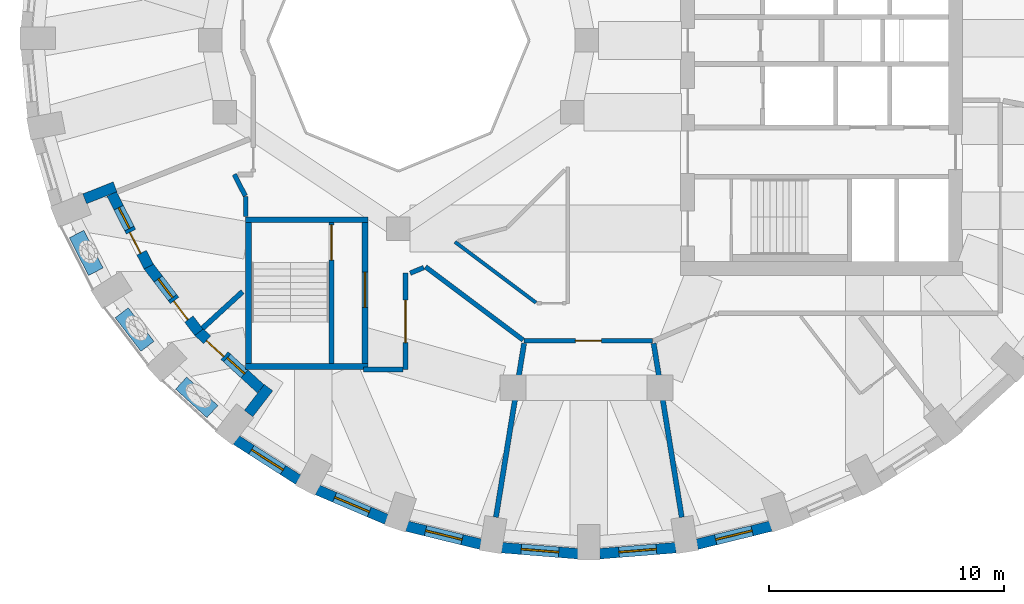
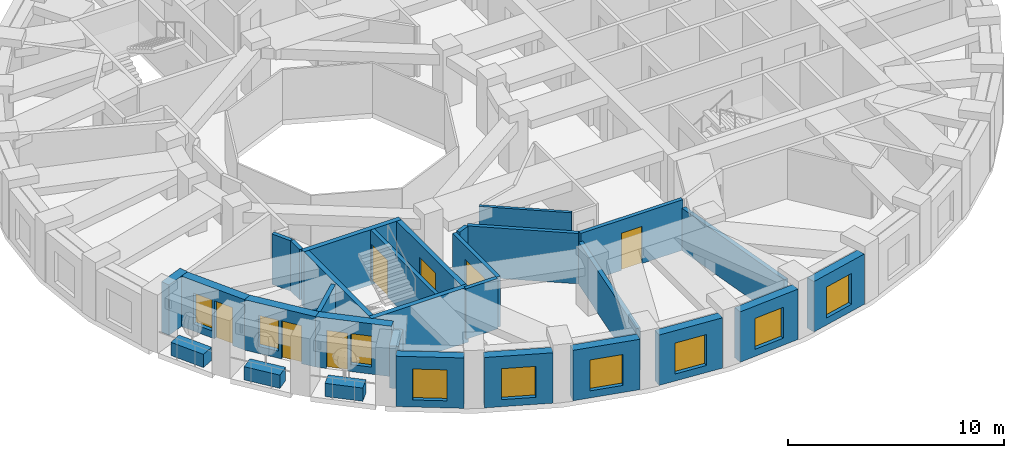
# One storey, part 3 of 11: 30 walls, 9 windows, 7 doors, 16 openings.
"""IFC4 building model written with IfcOpenShell, lengths in metres."""

from ifc_helpers import new_model, si_unit, direction, frame, frame_2d, origin, place, context, subcontext, project, spatial, rectangle, extrude, material, layer, layer_set, constituent, constituent_set, type_object, element, fill, save


model = new_model("IFC4")

# Units and contexts
model_context = context("Model", 3, precision=1e-05, world=origin(), true_north=direction((0.0, 1.0)))
body_context = subcontext(model_context, "Body", "Model", "MODEL_VIEW")
ifc_project = project(units=[si_unit("LENGTHUNIT", "METRE"), si_unit("AREAUNIT", "SQUARE_METRE"), si_unit("VOLUMEUNIT", "CUBIC_METRE"), si_unit("PLANEANGLEUNIT", "RADIAN"), si_unit("MASSUNIT", "GRAM", prefix="KILO")], contexts=[model_context])

# Site, building, storey
site_placement = place(None, origin())
site = spatial("IfcSite", under=ifc_project, at=site_placement, CompositionType="ELEMENT")
building_placement = place(site_placement, origin())
building = spatial("IfcBuilding", under=site, at=building_placement, Name="Taillehof Tower", CompositionType="ELEMENT")
storey_placement = place(building_placement, frame((0.0, 0.0, 181.39990234375)))
storey = spatial("IfcBuildingStorey", under=building, at=storey_placement, Name="L51", CompositionType="ELEMENT", Elevation=181.39990234375)

# Wall, opening, window
ifc_material_1 = material(Name="Brick masonry", Category="masonry")
ifc_layer_1 = layer(ifc_material_1, 0.449951171875)
ifc_layer_set_1 = layer_set([ifc_layer_1], Name="Brick infill wall 450")
wall_type_1 = type_object("IfcWallType", Name="Brick infill wall 450", PredefinedType="SOLIDWALL", material=ifc_layer_set_1)
wall_1_placement = place(storey_placement, frame((-14.908447265625, -16.993408203125, 0.0), z_axis=(0.0, 0.0, 1.0), x_axis=(0.842065914439, -0.539374633943, 0.0)))
wall_1 = element("IfcWall", 1, at=wall_1_placement, inside=storey, type_object=wall_type_1, Name="Brick wall L51 bay 24", PredefinedType="SOLIDWALL", context=body_context, shape_type="SweptSolid", body=[
    extrude(rectangle(XDim=3.1513671875, YDim=0.449951171875, at=frame_2d((1.57568359375, 0.0))), origin(), (0.0, 0.0, 1.0), 2.85009765625),
])
opening_1_placement = place(wall_1_placement, frame((0.775634765625, 0.0, 0.39990234375)))
opening_1 = element("IfcOpeningElement", 2, at=opening_1_placement, cuts=wall_1, Name="Opening W3", PredefinedType="OPENING", context=body_context, shape_type="SweptSolid", body=[
    extrude(rectangle(XDim=1.60009765625, YDim=1.75, at=frame_2d((0.800048828125, 0.875))), frame((0.0, 0.23486328125, 0.0), z_axis=(0.0, -1.0, 0.0), x_axis=(1.0, 0.0, 0.0)), (0.0, 0.0, 1.0), 0.469970703125),
])
ifc_material_2 = material(Name="Aluminium window frame with clear double glazing", Category="aluminium")
window_type_1 = type_object("IfcWindowType", Name="Deep-set window 1600x1750", PartitioningType="SINGLE_PANEL", PredefinedType="WINDOW", material=ifc_material_2)
window_1_placement = place(opening_1_placement, origin())
window_1 = element("IfcWindow", 3, at=window_1_placement, inside=storey, type_object=window_type_1, Name="W3", OverallHeight=1.75, OverallWidth=1.60009765625, PartitioningType="SINGLE_PANEL", PredefinedType="WINDOW", context=body_context, shape_type="SweptSolid", body=[
    extrude(rectangle(XDim=1.60009765625, YDim=1.75, at=frame_2d((0.800048828125, 0.875))), frame((0.0, 0.034912109375, 0.0), z_axis=(0.0, -1.0, 0.0), x_axis=(1.0, 0.0, 0.0)), (0.0, 0.0, 1.0), 0.06005859375),
])
fill(opening_1, window_1)

wall_2_placement = place(storey_placement, frame((-11.4501953125, -19.11865234375, 0.0), z_axis=(0.0, 0.0, 1.0), x_axis=(0.919798725687, -0.392390499663, 0.0)))
wall_2 = element("IfcWall", 4, at=wall_2_placement, inside=storey, type_object=wall_type_1, Name="Brick wall L51 bay 25", PredefinedType="SOLIDWALL", context=body_context, shape_type="SweptSolid", body=[
    extrude(rectangle(XDim=3.200439453125, YDim=0.449951171875, at=frame_2d((1.60009765625, 0.0))), origin(), (0.0, 0.0, 1.0), 2.85009765625),
])
opening_2_placement = place(wall_2_placement, frame((0.80029296875, 0.0, 0.39990234375)))
opening_2 = element("IfcOpeningElement", 5, at=opening_2_placement, cuts=wall_2, Name="Opening W3", PredefinedType="OPENING", context=body_context, shape_type="SweptSolid", body=[
    extrude(rectangle(XDim=1.60009765625, YDim=1.75, at=frame_2d((0.800048828125, 0.875))), frame((0.0, 0.23486328125, 0.0), z_axis=(0.0, -1.0, 0.0), x_axis=(1.0, 0.0, 0.0)), (0.0, 0.0, 1.0), 0.469970703125),
])
window_2_placement = place(opening_2_placement, origin())
window_2 = element("IfcWindow", 6, at=window_2_placement, inside=storey, type_object=window_type_1, Name="W3", OverallHeight=1.75, OverallWidth=1.60009765625, PartitioningType="SINGLE_PANEL", PredefinedType="WINDOW", context=body_context, shape_type="SweptSolid", body=[
    extrude(rectangle(XDim=1.60009765625, YDim=1.75, at=frame_2d((0.800048828125, 0.875))), frame((0.0, 0.034912109375, 0.0), z_axis=(0.0, -1.0, 0.0), x_axis=(1.0, 0.0, 0.0)), (0.0, 0.0, 1.0), 0.06005859375),
])
fill(opening_2, window_2)

wall_3_placement = place(storey_placement, frame((-7.642822265625, -20.662353515625, 0.0), z_axis=(0.0, 0.0, 1.0), x_axis=(0.971232901476, -0.238131583563, 0.0)))
wall_3 = element("IfcWall", 7, at=wall_3_placement, inside=storey, type_object=wall_type_1, Name="Brick wall L51 bay 26", PredefinedType="SOLIDWALL", context=body_context, shape_type="SweptSolid", body=[
    extrude(rectangle(XDim=3.236572265625, YDim=0.449951171875, at=frame_2d((1.6181640625, 0.0))), origin(), (0.0, 0.0, 1.0), 2.85009765625),
])
opening_3_placement = place(wall_3_placement, frame((0.818359375, 0.0, 0.39990234375)))
opening_3 = element("IfcOpeningElement", 8, at=opening_3_placement, cuts=wall_3, Name="Opening W3", PredefinedType="OPENING", context=body_context, shape_type="SweptSolid", body=[
    extrude(rectangle(XDim=1.60009765625, YDim=1.75, at=frame_2d((0.800048828125, 0.875))), frame((0.0, 0.23486328125, 0.0), z_axis=(0.0, -1.0, 0.0), x_axis=(1.0, 0.0, 0.0)), (0.0, 0.0, 1.0), 0.469970703125),
])
window_3_placement = place(opening_3_placement, origin())
window_3 = element("IfcWindow", 9, at=window_3_placement, inside=storey, type_object=window_type_1, Name="W3", OverallHeight=1.75, OverallWidth=1.60009765625, PartitioningType="SINGLE_PANEL", PredefinedType="WINDOW", context=body_context, shape_type="SweptSolid", body=[
    extrude(rectangle(XDim=1.60009765625, YDim=1.75, at=frame_2d((0.800048828125, 0.875))), frame((0.0, 0.034912109375, 0.0), z_axis=(0.0, -1.0, 0.0), x_axis=(1.0, 0.0, 0.0)), (0.0, 0.0, 1.0), 0.06005859375),
])
fill(opening_3, window_3)

wall_4_placement = place(storey_placement, frame((-3.6005859375, -21.578125, 0.0), z_axis=(0.0, 0.0, 1.0), x_axis=(0.996812416891, -0.079780984773, 0.0)))
wall_4 = element("IfcWall", 10, at=wall_4_placement, inside=storey, type_object=wall_type_1, Name="Brick wall L51 bay 27", PredefinedType="SOLIDWALL", context=body_context, shape_type="SweptSolid", body=[
    extrude(rectangle(XDim=3.256103515625, YDim=0.449951171875, at=frame_2d((1.6279296875, 0.0))), origin(), (0.0, 0.0, 1.0), 2.85009765625),
])
opening_4_placement = place(wall_4_placement, frame((0.827880859375, 0.0, 0.39990234375)))
opening_4 = element("IfcOpeningElement", 11, at=opening_4_placement, cuts=wall_4, Name="Opening W3", PredefinedType="OPENING", context=body_context, shape_type="SweptSolid", body=[
    extrude(rectangle(XDim=1.60009765625, YDim=1.75, at=frame_2d((0.800048828125, 0.875))), frame((0.0, 0.23486328125, 0.0), z_axis=(0.0, -1.0, 0.0), x_axis=(1.0, 0.0, 0.0)), (0.0, 0.0, 1.0), 0.469970703125),
])
window_4_placement = place(opening_4_placement, origin())
window_4 = element("IfcWindow", 12, at=window_4_placement, inside=storey, type_object=window_type_1, Name="W3", OverallHeight=1.75, OverallWidth=1.60009765625, PartitioningType="SINGLE_PANEL", PredefinedType="WINDOW", context=body_context, shape_type="SweptSolid", body=[
    extrude(rectangle(XDim=1.60009765625, YDim=1.75, at=frame_2d((0.800048828125, 0.875))), frame((0.0, 0.034912109375, 0.0), z_axis=(0.0, -1.0, 0.0), x_axis=(1.0, 0.0, 0.0)), (0.0, 0.0, 1.0), 0.06005859375),
])
fill(opening_4, window_4)

wall_5_placement = place(storey_placement, frame((0.55517578125, -21.837890625, 0.0), z_axis=(0.0, 0.0, 1.0), x_axis=(0.996812416891, 0.079780984773, 0.0)))
wall_5 = element("IfcWall", 13, at=wall_5_placement, inside=storey, type_object=wall_type_1, Name="Brick wall L51 bay 28", PredefinedType="SOLIDWALL", context=body_context, shape_type="SweptSolid", body=[
    extrude(rectangle(XDim=3.256103515625, YDim=0.449951171875, at=frame_2d((1.6279296875, 0.0))), origin(), (0.0, 0.0, 1.0), 2.85009765625),
])
opening_5_placement = place(wall_5_placement, frame((0.827880859375, 0.0, 0.39990234375)))
opening_5 = element("IfcOpeningElement", 14, at=opening_5_placement, cuts=wall_5, Name="Opening W3", PredefinedType="OPENING", context=body_context, shape_type="SweptSolid", body=[
    extrude(rectangle(XDim=1.60009765625, YDim=1.75, at=frame_2d((0.800048828125, 0.875))), frame((0.0, 0.23486328125, 0.0), z_axis=(0.0, -1.0, 0.0), x_axis=(1.0, 0.0, 0.0)), (0.0, 0.0, 1.0), 0.469970703125),
])
window_5_placement = place(opening_5_placement, origin())
window_5 = element("IfcWindow", 15, at=window_5_placement, inside=storey, type_object=window_type_1, Name="W3", OverallHeight=1.75, OverallWidth=1.60009765625, PartitioningType="SINGLE_PANEL", PredefinedType="WINDOW", context=body_context, shape_type="SweptSolid", body=[
    extrude(rectangle(XDim=1.60009765625, YDim=1.75, at=frame_2d((0.800048828125, 0.875))), frame((0.0, 0.034912109375, 0.0), z_axis=(0.0, -1.0, 0.0), x_axis=(1.0, 0.0, 0.0)), (0.0, 0.0, 1.0), 0.06005859375),
])
fill(opening_5, window_5)

wall_6_placement = place(storey_placement, frame((4.69921875, -21.43310546875, 0.0), z_axis=(0.0, 0.0, 1.0), x_axis=(0.971237178372, 0.238114139328, 0.0)))
wall_6 = element("IfcWall", 16, at=wall_6_placement, inside=storey, type_object=wall_type_1, Name="Brick wall L51 bay 29", PredefinedType="SOLIDWALL", context=body_context, shape_type="SweptSolid", body=[
    extrude(rectangle(XDim=3.23681640625, YDim=0.449951171875, at=frame_2d((1.618408203125, 0.0))), origin(), (0.0, 0.0, 1.0), 2.85009765625),
])
opening_6_placement = place(wall_6_placement, frame((0.818359375, 0.0, 0.39990234375)))
opening_6 = element("IfcOpeningElement", 17, at=opening_6_placement, cuts=wall_6, Name="Opening W3", PredefinedType="OPENING", context=body_context, shape_type="SweptSolid", body=[
    extrude(rectangle(XDim=1.60009765625, YDim=1.75, at=frame_2d((0.800048828125, 0.875))), frame((0.0, 0.23486328125, 0.0), z_axis=(0.0, -1.0, 0.0), x_axis=(1.0, 0.0, 0.0)), (0.0, 0.0, 1.0), 0.469970703125),
])
window_6_placement = place(opening_6_placement, origin())
window_6 = element("IfcWindow", 18, at=window_6_placement, inside=storey, type_object=window_type_1, Name="W3", OverallHeight=1.75, OverallWidth=1.60009765625, PartitioningType="SINGLE_PANEL", PredefinedType="WINDOW", context=body_context, shape_type="SweptSolid", body=[
    extrude(rectangle(XDim=1.60009765625, YDim=1.75, at=frame_2d((0.800048828125, 0.875))), frame((0.0, 0.034912109375, 0.0), z_axis=(0.0, -1.0, 0.0), x_axis=(1.0, 0.0, 0.0)), (0.0, 0.0, 1.0), 0.06005859375),
])
fill(opening_6, window_6)

# Walls
wall_7_placement = place(storey_placement, frame((-21.34814453125, -6.738037109375, 0.0), z_axis=(0.0, 0.0, 1.0), x_axis=(0.929514600716, 0.368785312961, 0.0)))
element("IfcWall", 19, at=wall_7_placement, inside=storey, type_object=wall_type_1, Name="Brick reveal L51 pocket 6", PredefinedType="SOLIDWALL", context=body_context, shape_type="SweptSolid", body=[
    extrude(rectangle(XDim=1.39013671875, YDim=0.449951171875, at=frame_2d((0.695068359375, 0.0))), origin(), (0.0, 0.0, 1.0), 2.85009765625),
])
wall_8_placement = place(storey_placement, frame((-14.374755859375, -15.87109375, 0.0), z_axis=(0.0, 0.0, 1.0), x_axis=(0.609982261713, 0.792415068253, 0.0)))
element("IfcWall", 20, at=wall_8_placement, inside=storey, type_object=wall_type_1, Name="Brick reveal L51 pocket 6", PredefinedType="SOLIDWALL", context=body_context, shape_type="SweptSolid", body=[
    extrude(rectangle(XDim=1.390380859375, YDim=0.449951171875, at=frame_2d((0.6953125, 0.0))), origin(), (0.0, 0.0, 1.0), 2.400146484375),
])

# Wall, openings, door, window
wall_9_placement = place(storey_placement, frame((-20.19970703125, -6.5244140625, 0.0), z_axis=(0.0, 0.0, 1.0), x_axis=(0.453222057065, -0.891397648073, 0.0)))
wall_9 = element("IfcWall", 21, at=wall_9_placement, inside=storey, type_object=wall_type_1, Name="Brick wall L51 pocket bay 21", PredefinedType="SOLIDWALL", context=body_context, shape_type="SweptSolid", body=[
    extrude(rectangle(XDim=3.472412109375, YDim=0.449951171875, at=frame_2d((1.736328125, 0.0))), origin(), (0.0, 0.0, 1.0), 2.85009765625),
])
opening_7_placement = place(wall_9_placement, frame((0.6611328125, 0.0, 0.39990234375)))
opening_7 = element("IfcOpeningElement", 22, at=opening_7_placement, cuts=wall_9, Name="Opening W5", PredefinedType="OPENING", context=body_context, shape_type="SweptSolid", body=[
    extrude(rectangle(XDim=1.0, YDim=1.75, at=frame_2d((0.5, 0.875))), frame((0.0, 0.23486328125, 0.0), z_axis=(0.0, -1.0, 0.0), x_axis=(1.0, 0.0, 0.0)), (0.0, 0.0, 1.0), 0.469970703125),
])
opening_8_placement = place(wall_9_placement, frame((1.811279296875, 0.0, 0.0)))
opening_8 = element("IfcOpeningElement", 23, at=opening_8_placement, cuts=wall_9, Name="Opening D5191", PredefinedType="OPENING", context=body_context, shape_type="SweptSolid", body=[
    extrude(rectangle(XDim=1.0, YDim=2.14990234375, at=frame_2d((0.5, 1.074951171875))), frame((0.0, 0.23486328125, 0.0), z_axis=(0.0, -1.0, 0.0), x_axis=(1.0, 0.0, 0.0)), (0.0, 0.0, 1.0), 0.469970703125),
])
ifc_material_3 = material(Name="Aluminium door frame with clear double glazing", Category="aluminium")
door_type_1 = type_object("IfcDoorType", Name="Balcony door 1000x2150", OperationType="SINGLE_SWING_RIGHT", PredefinedType="DOOR", material=ifc_material_3)
door_1_placement = place(opening_8_placement, frame((1.0, 0.0, 0.0), z_axis=(0.0, 0.0, 1.0), x_axis=(-1.0, 0.0, 0.0)))
door_1 = element("IfcDoor", 24, at=door_1_placement, inside=storey, type_object=door_type_1, Name="Balcony door L51 bay 21", OperationType="SINGLE_SWING_RIGHT", OverallHeight=2.14990234375, OverallWidth=1.0, PredefinedType="DOOR", context=body_context, shape_type="SweptSolid", body=[
    extrude(rectangle(XDim=1.0, YDim=2.14990234375, at=frame_2d((0.5, 1.074951171875))), frame((0.0, 0.0751953125, 0.0), z_axis=(0.0, -1.0, 0.0), x_axis=(1.0, 0.0, 0.0)), (0.0, 0.0, 1.0), 0.050048828125),
])
fill(opening_8, door_1)
ifc_material_4 = material(Name="Aluminium window frame with clear double glazing", Category="aluminium")
window_type_2 = type_object("IfcWindowType", Name="Fixed window 1000x1750", PartitioningType="SINGLE_PANEL", PredefinedType="WINDOW", material=ifc_material_4)
window_7_placement = place(opening_7_placement, origin())
window_7 = element("IfcWindow", 25, at=window_7_placement, inside=storey, type_object=window_type_2, Name="W5", OverallHeight=1.75, OverallWidth=1.0, PartitioningType="SINGLE_PANEL", PredefinedType="WINDOW", context=body_context, shape_type="SweptSolid", body=[
    extrude(rectangle(XDim=1.0, YDim=1.75, at=frame_2d((0.5, 0.875))), frame((0.0, 0.034912109375, 0.0), z_axis=(0.0, -1.0, 0.0), x_axis=(1.0, 0.0, 0.0)), (0.0, 0.0, 1.0), 0.06005859375),
])
fill(opening_7, window_7)

wall_10_placement = place(storey_placement, frame((-18.647705078125, -9.585205078125, 0.0), z_axis=(0.0, 0.0, 1.0), x_axis=(0.606795400684, -0.794858063876, 0.0)))
wall_10 = element("IfcWall", 26, at=wall_10_placement, inside=storey, type_object=wall_type_1, Name="Brick wall L51 pocket bay 22", PredefinedType="SOLIDWALL", context=body_context, shape_type="SweptSolid", body=[
    extrude(rectangle(XDim=3.558349609375, YDim=0.449951171875, at=frame_2d((1.779296875, 0.0))), origin(), (0.0, 0.0, 1.0), 2.85009765625),
])
opening_9_placement = place(wall_10_placement, frame((0.7041015625, 0.0, 0.39990234375)))
opening_9 = element("IfcOpeningElement", 27, at=opening_9_placement, cuts=wall_10, Name="Opening W5", PredefinedType="OPENING", context=body_context, shape_type="SweptSolid", body=[
    extrude(rectangle(XDim=1.0, YDim=1.75, at=frame_2d((0.5, 0.875))), frame((0.0, 0.23486328125, 0.0), z_axis=(0.0, -1.0, 0.0), x_axis=(1.0, 0.0, 0.0)), (0.0, 0.0, 1.0), 0.469970703125),
])
opening_10_placement = place(wall_10_placement, frame((1.854248046875, 0.0, 0.0)))
opening_10 = element("IfcOpeningElement", 28, at=opening_10_placement, cuts=wall_10, Name="Opening D5192", PredefinedType="OPENING", context=body_context, shape_type="SweptSolid", body=[
    extrude(rectangle(XDim=1.0, YDim=2.14990234375, at=frame_2d((0.5, 1.074951171875))), frame((0.0, 0.23486328125, 0.0), z_axis=(0.0, -1.0, 0.0), x_axis=(1.0, 0.0, 0.0)), (0.0, 0.0, 1.0), 0.469970703125),
])
door_2_placement = place(opening_10_placement, frame((1.0, 0.0, 0.0), z_axis=(0.0, 0.0, 1.0), x_axis=(-1.0, 0.0, 0.0)))
door_2 = element("IfcDoor", 29, at=door_2_placement, inside=storey, type_object=door_type_1, Name="Balcony door L51 bay 22", OperationType="SINGLE_SWING_LEFT", OverallHeight=2.14990234375, OverallWidth=1.0, PredefinedType="DOOR", context=body_context, shape_type="SweptSolid", body=[
    extrude(rectangle(XDim=1.0, YDim=2.14990234375, at=frame_2d((0.5, 1.074951171875))), frame((0.0, 0.0751953125, 0.0), z_axis=(0.0, -1.0, 0.0), x_axis=(1.0, 0.0, 0.0)), (0.0, 0.0, 1.0), 0.050048828125),
])
fill(opening_10, door_2)
window_8_placement = place(opening_9_placement, origin())
window_8 = element("IfcWindow", 30, at=window_8_placement, inside=storey, type_object=window_type_2, Name="W5", OverallHeight=1.75, OverallWidth=1.0, PartitioningType="SINGLE_PANEL", PredefinedType="WINDOW", context=body_context, shape_type="SweptSolid", body=[
    extrude(rectangle(XDim=1.0, YDim=1.75, at=frame_2d((0.5, 0.875))), frame((0.0, 0.034912109375, 0.0), z_axis=(0.0, -1.0, 0.0), x_axis=(1.0, 0.0, 0.0)), (0.0, 0.0, 1.0), 0.06005859375),
])
fill(opening_9, window_8)

wall_11_placement = place(storey_placement, frame((-16.515380859375, -12.38427734375, 0.0), z_axis=(0.0, 0.0, 1.0), x_axis=(0.736968915604, -0.675926636133, 0.0)))
wall_11 = element("IfcWall", 31, at=wall_11_placement, inside=storey, type_object=wall_type_1, Name="Brick wall L51 pocket bay 23", PredefinedType="SOLIDWALL", context=body_context, shape_type="SweptSolid", body=[
    extrude(rectangle(XDim=3.611572265625, YDim=0.449951171875, at=frame_2d((1.8056640625, 0.0))), origin(), (0.0, 0.0, 1.0), 2.85009765625),
])
opening_11_placement = place(wall_11_placement, frame((1.665283203125, 0.0, 0.39990234375)))
opening_11 = element("IfcOpeningElement", 32, at=opening_11_placement, cuts=wall_11, Name="Opening W5", PredefinedType="OPENING", context=body_context, shape_type="SweptSolid", body=[
    extrude(rectangle(XDim=1.0, YDim=1.75, at=frame_2d((0.5, 0.875))), frame((0.0, 0.23486328125, 0.0), z_axis=(0.0, -1.0, 0.0), x_axis=(1.0, 0.0, 0.0)), (0.0, 0.0, 1.0), 0.469970703125),
])
opening_12_placement = place(wall_11_placement, frame((0.515380859375, 0.0, 0.0)))
opening_12 = element("IfcOpeningElement", 33, at=opening_12_placement, cuts=wall_11, Name="Opening D5193", PredefinedType="OPENING", context=body_context, shape_type="SweptSolid", body=[
    extrude(rectangle(XDim=1.0, YDim=2.14990234375, at=frame_2d((0.5, 1.074951171875))), frame((0.0, 0.23486328125, 0.0), z_axis=(0.0, -1.0, 0.0), x_axis=(1.0, 0.0, 0.0)), (0.0, 0.0, 1.0), 0.469970703125),
])
door_3_placement = place(opening_12_placement, origin())
door_3 = element("IfcDoor", 34, at=door_3_placement, inside=storey, type_object=door_type_1, Name="Balcony door L51 bay 23", OperationType="SINGLE_SWING_LEFT", OverallHeight=2.14990234375, OverallWidth=1.0, PredefinedType="DOOR", context=body_context, shape_type="SweptSolid", body=[
    extrude(rectangle(XDim=1.0, YDim=2.14990234375, at=frame_2d((0.5, 1.074951171875))), frame((0.0, -0.02490234375, 0.0), z_axis=(0.0, -1.0, 0.0), x_axis=(1.0, 0.0, 0.0)), (0.0, 0.0, 1.0), 0.050048828125),
])
fill(opening_12, door_3)
window_9_placement = place(opening_11_placement, origin())
window_9 = element("IfcWindow", 35, at=window_9_placement, inside=storey, type_object=window_type_2, Name="W5", OverallHeight=1.75, OverallWidth=1.0, PartitioningType="SINGLE_PANEL", PredefinedType="WINDOW", context=body_context, shape_type="SweptSolid", body=[
    extrude(rectangle(XDim=1.0, YDim=1.75, at=frame_2d((0.5, 0.875))), frame((0.0, 0.034912109375, 0.0), z_axis=(0.0, -1.0, 0.0), x_axis=(1.0, 0.0, 0.0)), (0.0, 0.0, 1.0), 0.06005859375),
])
fill(opening_11, window_9)

# Wall, opening, door
ifc_material_5 = material(Name="Gypsum board on steel studs, two layers each side", Category="steel")
ifc_layer_2 = layer(ifc_material_5, 0.199951171875)
ifc_layer_set_2 = layer_set([ifc_layer_2], Name="Compartment wall corridor 200")
wall_type_2 = type_object("IfcWallType", Name="Compartment wall corridor 200", PredefinedType="PARTITIONING", material=ifc_layer_set_2)
wall_12_placement = place(storey_placement, frame((-7.699951171875, -9.89990234375, 0.0), z_axis=(0.0, 0.0, 1.0), x_axis=(0.0, -1.0, 0.0)))
wall_12 = element("IfcWall", 36, at=wall_12_placement, inside=storey, type_object=wall_type_2, Name="Compartment wall", PredefinedType="PARTITIONING", context=body_context, shape_type="SweptSolid", body=[
    extrude(rectangle(XDim=4.10009765625, YDim=0.199951171875, at=frame_2d((2.050048828125, 0.0))), origin(), (0.0, 0.0, 1.0), 2.85009765625),
])
opening_13_placement = place(wall_12_placement, frame((1.150146484375, 0.0, 0.0)))
opening_13 = element("IfcOpeningElement", 37, at=opening_13_placement, cuts=wall_12, Name="Opening D5148", PredefinedType="OPENING", context=body_context, shape_type="SweptSolid", body=[
    extrude(rectangle(XDim=1.800048828125, YDim=2.10009765625, at=frame_2d((0.89990234375, 1.050048828125))), frame((0.0, 0.10986328125, 0.0), z_axis=(0.0, -1.0, 0.0), x_axis=(1.0, 0.0, 0.0)), (0.0, 0.0, 1.0), 0.219970703125),
])
ifc_material_6 = material(Name="Timber door leaf in steel frame", Category="steel")
door_type_2 = type_object("IfcDoorType", Name="Lounge and meeting room double door EI 30 1800 x 2100", OperationType="SINGLE_SWING_LEFT", PredefinedType="DOOR", material=ifc_material_6)
door_4_placement = place(opening_13_placement, origin())
door_4 = element("IfcDoor", 38, at=door_4_placement, inside=storey, type_object=door_type_2, Name="D5148", OperationType="DOUBLE_DOOR_SINGLE_SWING", OverallHeight=2.10009765625, OverallWidth=1.800048828125, PredefinedType="DOOR", context=body_context, shape_type="SweptSolid", body=[
    extrude(rectangle(XDim=1.800048828125, YDim=2.10009765625, at=frame_2d((0.89990234375, 1.050048828125))), frame((0.0, 0.02490234375, 0.0), z_axis=(0.0, -1.0, 0.0), x_axis=(1.0, 0.0, 0.0)), (0.0, 0.0, 1.0), 0.050048828125),
])
fill(opening_13, door_4)

# Walls
wall_13_placement = place(storey_placement, frame((-7.800048828125, -14.0, 0.0), z_axis=(0.0, 0.0, 1.0), x_axis=(-1.0, 0.0, 0.0)))
element("IfcWall", 39, at=wall_13_placement, inside=storey, type_object=wall_type_2, Name="Compartment wall", PredefinedType="PARTITIONING", context=body_context, shape_type="SweptSolid", body=[
    extrude(rectangle(XDim=1.696044921875, YDim=0.199951171875, at=frame_2d((0.84814453125, 0.0))), origin(), (0.0, 0.0, 1.0), 2.85009765625),
])
wall_14_placement = place(storey_placement, frame((-14.49072265625, -7.49609375, 0.0), z_axis=(0.0, 0.0, 1.0), x_axis=(-0.010931452674, 0.999940249886, 0.0)))
element("IfcWall", 40, at=wall_14_placement, inside=storey, type_object=wall_type_2, Name="Compartment wall", PredefinedType="PARTITIONING", context=body_context, shape_type="SweptSolid", body=[
    extrude(rectangle(XDim=0.8486328125, YDim=0.199951171875, at=frame_2d((0.42431640625, 0.0))), origin(), (0.0, 0.0, 1.0), 2.85009765625),
])
wall_15_placement = place(storey_placement, frame((-14.51806640625, -6.61181640625, 0.0), z_axis=(0.0, 0.0, 1.0), x_axis=(-0.45321774915, 0.891399838375, 0.0)))
element("IfcWall", 41, at=wall_15_placement, inside=storey, type_object=wall_type_2, Name="Compartment wall", PredefinedType="PARTITIONING", context=body_context, shape_type="SweptSolid", body=[
    extrude(rectangle(XDim=1.02294921875, YDim=0.199951171875, at=frame_2d((0.511474609375, 0.0))), origin(), (0.0, 0.0, 1.0), 2.85009765625),
])

# Wall, opening, door
wall_16_placement = place(storey_placement, frame((2.80908203125, -12.779541015625, 0.0), z_axis=(0.0, 0.0, 1.0), x_axis=(-1.0, 0.0, 0.0)))
wall_16 = element("IfcWall", 42, at=wall_16_placement, inside=storey, type_object=wall_type_2, Name="Compartment wall", PredefinedType="PARTITIONING", context=body_context, shape_type="SweptSolid", body=[
    extrude(rectangle(XDim=5.458251953125, YDim=0.199951171875, at=frame_2d((2.72900390625, 0.0))), origin(), (0.0, 0.0, 1.0), 2.85009765625),
])
opening_14_placement = place(wall_16_placement, frame((2.1787109375, 0.0, 0.0)))
opening_14 = element("IfcOpeningElement", 43, at=opening_14_placement, cuts=wall_16, Name="Opening D5149", PredefinedType="OPENING", context=body_context, shape_type="SweptSolid", body=[
    extrude(rectangle(XDim=1.10009765625, YDim=2.10009765625, at=frame_2d((0.550048828125, 1.050048828125))), frame((0.0, 0.10986328125, 0.0), z_axis=(0.0, -1.0, 0.0), x_axis=(1.0, 0.0, 0.0)), (0.0, 0.0, 1.0), 0.219970703125),
])
ifc_material_7 = material(Name="Timber door leaf in steel frame", Category="steel")
door_type_3 = type_object("IfcDoorType", Name="Suite entrance door EI 30 1100 x 2100", OperationType="SINGLE_SWING_LEFT", PredefinedType="DOOR", material=ifc_material_7)
door_5_placement = place(opening_14_placement, origin())
door_5 = element("IfcDoor", 44, at=door_5_placement, inside=storey, type_object=door_type_3, Name="D5149", OperationType="SINGLE_SWING_RIGHT", OverallHeight=2.10009765625, OverallWidth=1.10009765625, PredefinedType="DOOR", context=body_context, shape_type="SweptSolid", body=[
    extrude(rectangle(XDim=1.10009765625, YDim=2.10009765625, at=frame_2d((0.550048828125, 1.050048828125))), frame((0.0, 0.02490234375, 0.0), z_axis=(0.0, -1.0, 0.0), x_axis=(1.0, 0.0, 0.0)), (0.0, 0.0, 1.0), 0.050048828125),
])
fill(opening_14, door_5)

# Walls
wall_17_placement = place(storey_placement, frame((-2.697509765625, -12.74365234375, 0.0), z_axis=(0.0, 0.0, 1.0), x_axis=(-0.800208812098, 0.59972148289, 0.0)))
element("IfcWall", 45, at=wall_17_placement, inside=storey, type_object=wall_type_2, Name="Compartment wall", PredefinedType="PARTITIONING", context=body_context, shape_type="SweptSolid", body=[
    extrude(rectangle(XDim=5.18994140625, YDim=0.199951171875, at=frame_2d((2.594970703125, 0.0))), origin(), (0.0, 0.0, 1.0), 2.85009765625),
])
wall_18_placement = place(storey_placement, frame((-6.9248046875, -9.661376953125, 0.0), z_axis=(0.0, 0.0, 1.0), x_axis=(-0.923725195793, -0.383055821855, 0.0)))
element("IfcWall", 46, at=wall_18_placement, inside=storey, type_object=wall_type_2, Name="Compartment wall", PredefinedType="PARTITIONING", context=body_context, shape_type="SweptSolid", body=[
    extrude(rectangle(XDim=0.622802734375, YDim=0.199951171875, at=frame_2d((0.3115234375, 0.0))), origin(), (0.0, 0.0, 1.0), 2.85009765625),
])
ifc_material_8 = material(Name="Gypsum board on double steel studs with mineral wool", Category="steel")
ifc_layer_3 = layer(ifc_material_8, 0.219970703125)
ifc_layer_set_3 = layer_set([ifc_layer_3], Name="Compartment wall guest room 220")
wall_type_3 = type_object("IfcWallType", Name="Compartment wall guest room 220", PredefinedType="PARTITIONING", material=ifc_layer_set_3)
wall_19_placement = place(storey_placement, frame((-16.333984375, -12.2451171875, 0.0), z_axis=(0.0, 0.0, 1.0), x_axis=(0.737917457379, 0.674890973487, 0.0)))
element("IfcWall", 47, at=wall_19_placement, inside=storey, type_object=wall_type_3, Name="Compartment wall", PredefinedType="PARTITIONING", context=body_context, shape_type="SweptSolid", body=[
    extrude(rectangle(XDim=2.30859375, YDim=0.219970703125, at=frame_2d((1.154296875, 0.0))), origin(), (0.0, 0.0, 1.0), 2.85009765625),
])
for number, where, z_axis, x_axis, name in (
    (48, (-3.852294921875, -20.28369140625, 0.0), (0.0, 0.0, 1.0), (0.159690244465, 0.987167172176, 0.0), "Compartment wall"),
    (49, (4.05224609375, -20.28369140625, 0.0), (0.0, 0.0, 1.0), (-0.159690244465, 0.987167172176, 0.0), "Compartment wall"),
):
    element("IfcWall", number, at=place(storey_placement, frame(where, z_axis=z_axis, x_axis=x_axis)), inside=storey, type_object=wall_type_3, Name=name, PredefinedType="PARTITIONING", context=body_context, shape_type="SweptSolid", body=[
        extrude(rectangle(XDim=7.494384765625, YDim=0.219970703125, at=frame_2d((3.7470703125, 0.0))), origin(), (0.0, 0.0, 1.0), 2.400146484375),
    ])
ifc_material_9 = material(Name="Gypsum board on steel studs, two layers each side", Category="steel")
ifc_layer_4 = layer(ifc_material_9, 0.14990234375)
ifc_layer_set_4 = layer_set([ifc_layer_4], Name="Compartment wall service room 150")
wall_type_4 = type_object("IfcWallType", Name="Compartment wall service room 150", PredefinedType="PARTITIONING", material=ifc_layer_set_4)
wall_20_placement = place(storey_placement, frame((-2.1484375, -11.155517578125, 0.0), z_axis=(0.0, 0.0, 1.0), x_axis=(-0.800210636755, 0.599719048241, 0.0)))
element("IfcWall", 50, at=wall_20_placement, inside=storey, type_object=wall_type_4, Name="Compartment wall", PredefinedType="PARTITIONING", context=body_context, shape_type="SweptSolid", body=[
    extrude(rectangle(XDim=4.310791015625, YDim=0.14990234375, at=frame_2d((2.1552734375, 0.0))), origin(), (0.0, 0.0, 1.0), 2.85009765625),
])
ifc_material_10 = material(Name="Concrete C30/37 precast", Category="concrete")
ifc_constituent_1 = constituent(ifc_material_10, Name="Structure", Category="concrete")
ifc_material_11 = material(Name="Insulated lining")
ifc_constituent_2 = constituent(ifc_material_11, Name="Lining")
ifc_constituent_set = constituent_set(constituents=[ifc_constituent_1, ifc_constituent_2], Name="Planter trough 700x750")
wall_type_5 = type_object("IfcWallType", Name="Planter trough 700x750", PredefinedType="USERDEFINED", material=ifc_constituent_set)
for number, where, z_axis, x_axis, name in (
    (51, (-21.692138671875, -8.2353515625, 0.0), (0.0, 0.0, 1.0), (0.454090347167, -0.890955642336, 0.0), "Planter L51 bay 21"),
    (52, (-19.77197265625, -11.584716796875, 0.0), (0.0, 0.0, 1.0), (0.607762189494, -0.794119084912, 0.0), "Planter L51 bay 22"),
    (53, (-17.24365234375, -14.576416015625, 0.0), (0.0, 0.0, 1.0), (0.737874397391, -0.674938051731, 0.0), "Planter L51 bay 23"),
):
    element("IfcWall", number, at=place(storey_placement, frame(where, z_axis=z_axis, x_axis=x_axis)), inside=storey, type_object=wall_type_5, Name=name, ObjectType="PLANTER", PredefinedType="USERDEFINED", context=body_context, shape_type="SweptSolid", body=[
        extrude(rectangle(XDim=1.800048828125, YDim=0.699951171875, at=frame_2d((0.89990234375, 0.0))), origin(), (0.0, 0.0, 1.0), 0.75),
    ])

# Wall, opening, door
ifc_material_12 = material(Name="Concrete C50/60", Category="concrete")
ifc_layer_5 = layer(ifc_material_12, 0.199951171875)
ifc_layer_set_5 = layer_set([ifc_layer_5], Name="Shaft wall C50/60 200")
wall_type_6 = type_object("IfcWallType", Name="Shaft wall C50/60 200", PredefinedType="SHEAR", material=ifc_layer_set_5)
wall_21_placement = place(storey_placement, frame((-10.85009765625, -13.75, 0.0), z_axis=(0.0, 0.0, 1.0), x_axis=(0.0, 1.0, 0.0)))
wall_21 = element("IfcWall", 54, at=wall_21_placement, inside=storey, type_object=wall_type_6, Name="Shaft wall SW", PredefinedType="SHEAR", context=body_context, shape_type="SweptSolid", body=[
    extrude(rectangle(XDim=6.0, YDim=0.199951171875, at=frame_2d((3.0, 0.0))), origin(), (0.0, 0.0, 1.0), 2.85009765625),
])
opening_15_placement = place(wall_21_placement, frame((4.39990234375, 0.0, 0.0)))
opening_15 = element("IfcOpeningElement", 55, at=opening_15_placement, cuts=wall_21, Name="Opening D5113", PredefinedType="OPENING", context=body_context, shape_type="SweptSolid", body=[
    extrude(rectangle(XDim=1.5, YDim=2.10009765625, at=frame_2d((0.75, 1.050048828125))), frame((0.0, 0.10986328125, 0.0), z_axis=(0.0, -1.0, 0.0), x_axis=(1.0, 0.0, 0.0)), (0.0, 0.0, 1.0), 0.219970703125),
])
ifc_material_13 = material(Name="Steel-faced fire door", Category="steel")
door_type_4 = type_object("IfcDoorType", Name="Stair door 1500x2100", OperationType="DOUBLE_DOOR_SINGLE_SWING", PredefinedType="DOOR", material=ifc_material_13)
door_6_placement = place(opening_15_placement, origin())
door_6 = element("IfcDoor", 56, at=door_6_placement, inside=storey, type_object=door_type_4, Name="Stair lobby door S4", OperationType="DOUBLE_DOOR_SINGLE_SWING", OverallHeight=2.10009765625, OverallWidth=1.5, PredefinedType="DOOR", context=body_context, shape_type="SweptSolid", body=[
    extrude(rectangle(XDim=1.5, YDim=2.10009765625, at=frame_2d((0.75, 1.050048828125))), frame((0.0, 0.02490234375, 0.0), z_axis=(0.0, -1.0, 0.0), x_axis=(1.0, 0.0, 0.0)), (0.0, 0.0, 1.0), 0.050048828125),
])
fill(opening_15, door_6)

# Wall
ifc_material_14 = material(Name="Concrete C50/60", Category="concrete")
ifc_layer_6 = layer(ifc_material_14, 0.25)
ifc_layer_set_6 = layer_set([ifc_layer_6], Name="Stair wall C50/60 250")
wall_type_7 = type_object("IfcWallType", Name="Stair wall C50/60 250", PredefinedType="SHEAR", material=ifc_layer_set_6)
wall_22_placement = place(storey_placement, frame((-14.375, -13.75, -0.27978515625), z_axis=(0.0, 0.0, 1.0), x_axis=(0.0, 1.0, 0.0)))
element("IfcWall", 57, at=wall_22_placement, inside=storey, type_object=wall_type_7, Name="Stair wall SC", PredefinedType="SHEAR", context=body_context, shape_type="SweptSolid", body=[
    extrude(rectangle(XDim=6.0, YDim=0.25, at=frame_2d((3.0, 0.0))), origin(), (0.0, 0.0, 1.0), 3.1298828125),
])

# Wall, opening, door
wall_23_placement = place(storey_placement, frame((-9.425048828125, -13.75, -0.27978515625), z_axis=(0.0, 0.0, 1.0), x_axis=(0.0, 1.0, 0.0)))
wall_23 = element("IfcWall", 58, at=wall_23_placement, inside=storey, type_object=wall_type_7, Name="Stair wall SC", PredefinedType="SHEAR", context=body_context, shape_type="SweptSolid", body=[
    extrude(rectangle(XDim=6.0, YDim=0.25, at=frame_2d((3.0, 0.0))), origin(), (0.0, 0.0, 1.0), 3.1298828125),
])
opening_16_placement = place(wall_23_placement, frame((2.39990234375, 0.0, 0.280029296875)))
opening_16 = element("IfcOpeningElement", 59, at=opening_16_placement, cuts=wall_23, Name="Opening D5116", PredefinedType="OPENING", context=body_context, shape_type="SweptSolid", body=[
    extrude(rectangle(XDim=1.5, YDim=2.10009765625, at=frame_2d((0.75, 1.050048828125))), frame((0.0, 0.135009765625, 0.0), z_axis=(0.0, -1.0, 0.0), x_axis=(1.0, 0.0, 0.0)), (0.0, 0.0, 1.0), 0.27001953125),
])
door_7_placement = place(opening_16_placement, origin())
door_7 = element("IfcDoor", 60, at=door_7_placement, inside=storey, type_object=door_type_4, Name="Stair door S4", OperationType="DOUBLE_DOOR_SINGLE_SWING", OverallHeight=2.10009765625, OverallWidth=1.5, PredefinedType="DOOR", context=body_context, shape_type="SweptSolid", body=[
    extrude(rectangle(XDim=1.5, YDim=2.10009765625, at=frame_2d((0.75, 1.050048828125))), frame((0.0, 0.02490234375, 0.0), z_axis=(0.0, -1.0, 0.0), x_axis=(1.0, 0.0, 0.0)), (0.0, 0.0, 1.0), 0.050048828125),
])
fill(opening_16, door_7)

# Walls
for number, where, z_axis, x_axis, name in (
    (61, (-14.5, -7.625, -0.27978515625), (0.0, 0.0, 1.0), (1.0, 0.0, 0.0), "Stair wall SC"),
    (62, (-14.5, -13.875, -0.27978515625), (0.0, 0.0, 1.0), (1.0, 0.0, 0.0), "Stair wall SC"),
):
    element("IfcWall", number, at=place(storey_placement, frame(where, z_axis=z_axis, x_axis=x_axis)), inside=storey, type_object=wall_type_7, Name=name, PredefinedType="SHEAR", context=body_context, shape_type="SweptSolid", body=[
        extrude(rectangle(XDim=5.199951171875, YDim=0.25, at=frame_2d((2.60009765625, 0.0))), origin(), (0.0, 0.0, 1.0), 3.1298828125),
    ])

save(model, "model.ifc")
